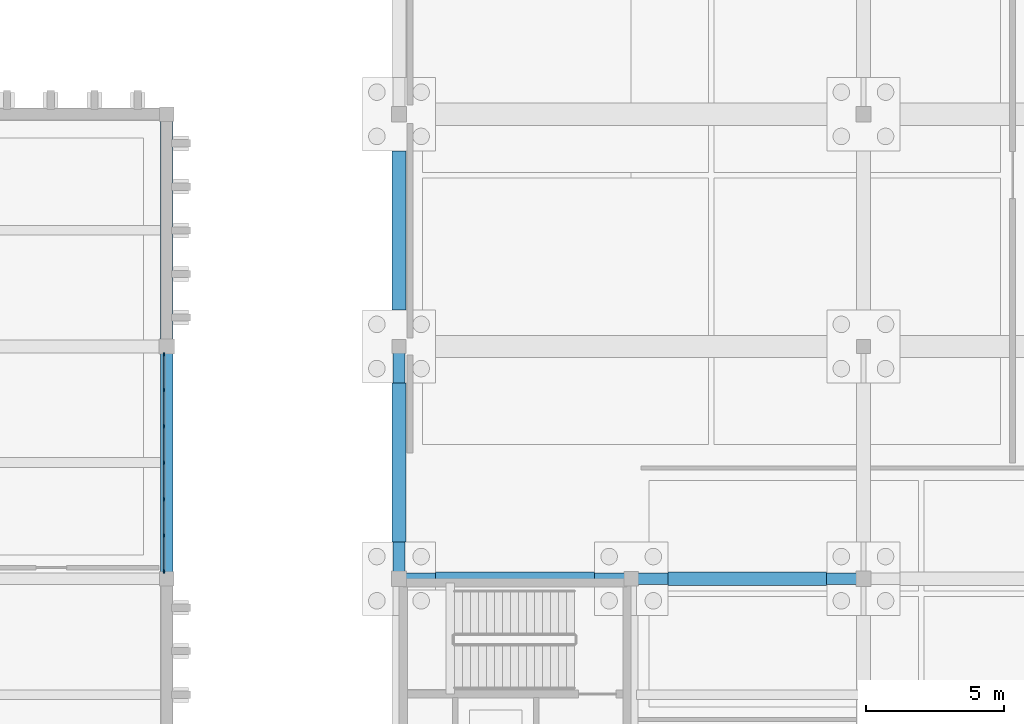
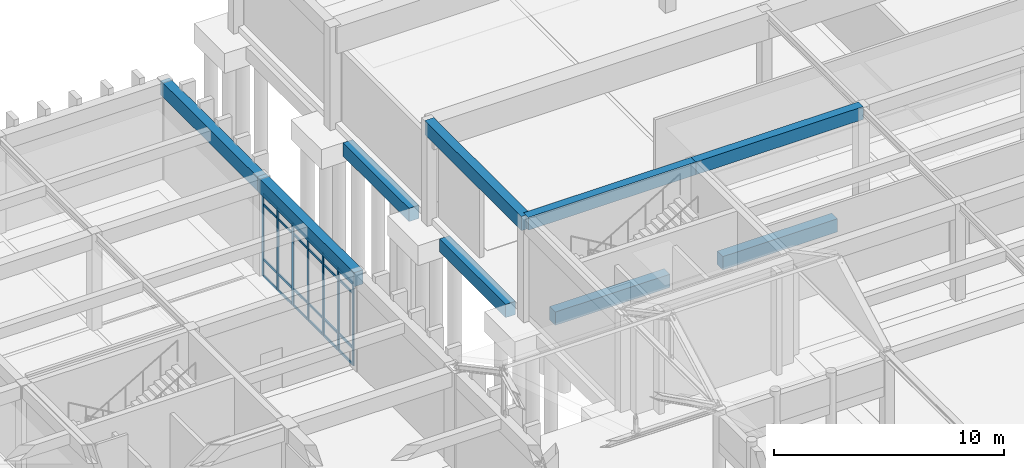
# One storey, part 55 of 143: 31 members, 9 beams, 1 element without a shape of its own.
"""IFC4 building model written with IfcOpenShell, lengths in metres."""

from ifc_helpers import new_model, si_unit, direction, frame, origin, origin_2d, place, context, subcontext, project, spatial, rectangle, extrude, material, layer, layer_set, material_profile, profile_set, type_object, element, aggregate, save


model = new_model("IFC4")

# Units and contexts
model_context = context("Model", 3, precision=1e-05, world=origin(), true_north=direction((0.0, 1.0)))
body_context = subcontext(model_context, "Body", "Model", "MODEL_VIEW")
ifc_project = project(units=[si_unit("LENGTHUNIT", "METRE"), si_unit("AREAUNIT", "SQUARE_METRE"), si_unit("VOLUMEUNIT", "CUBIC_METRE"), si_unit("PLANEANGLEUNIT", "RADIAN"), si_unit("MASSUNIT", "GRAM", prefix="KILO")], contexts=[model_context])

# Site, building, storey
site_placement = place(None, origin())
site = spatial("IfcSite", under=ifc_project, at=site_placement, CompositionType="ELEMENT")
building_placement = place(site_placement, origin())
building = spatial("IfcBuilding", under=site, at=building_placement, Name="Kveldsbrygga Polytechnic", CompositionType="ELEMENT")
storey_placement = place(building_placement, origin())
storey = spatial("IfcBuildingStorey", under=building, at=storey_placement, Name="L00", CompositionType="ELEMENT", Elevation=0.0)

# Beams
ifc_material_1 = material(Name="Concrete C35/45", Category="concrete")
ifc_material_profile_1 = material_profile(ifc_material_1, rectangle(XDim=0.419921875, YDim=0.679931640625, at=origin_2d()), Name="RC 420x680")
ifc_profile_set_1 = profile_set([ifc_material_profile_1], Name="Concrete C35/45")
beam_type_1 = type_object("IfcBeamType", Name="BM-RC-420x680", PredefinedType="BEAM", material=ifc_profile_set_1)
beam_1_placement = place(storey_placement, frame((42.0, 92.39990234375, 4.800048828125), z_axis=(1.0, 0.0, 0.0), x_axis=(0.0, 1.0, 0.0)))
element("IfcBeam", 1, at=beam_1_placement, inside=storey, type_object=beam_type_1, Name="Primary Beam BMX-L00-05to06-11", PredefinedType="BEAM", context=body_context, shape_type="SweptSolid", body=[
    extrude(rectangle(XDim=0.419921875, YDim=0.679931640625, at=origin_2d()), origin(), (0.0, 0.0, 1.0), 8.39990234375),
])
beam_2_placement = place(storey_placement, frame((50.39990234375, 92.39990234375, 4.800048828125), z_axis=(1.0, 0.0, 0.0), x_axis=(0.0, 1.0, 0.0)))
element("IfcBeam", 2, at=beam_2_placement, inside=storey, type_object=beam_type_1, Name="Primary Beam BMX-L00-06to07-11", PredefinedType="BEAM", context=body_context, shape_type="SweptSolid", body=[
    extrude(rectangle(XDim=0.419921875, YDim=0.679931640625, at=origin_2d()), origin(), (0.0, 0.0, 1.0), 8.400146484375),
])
ifc_material_profile_2 = material_profile(ifc_material_1, rectangle(XDim=0.449951171875, YDim=0.75, at=origin_2d()), Name="RC 450x750")
ifc_profile_set_2 = profile_set([ifc_material_profile_2], Name="Concrete C35/45")
beam_type_2 = type_object("IfcBeamType", Name="BM-RC-450x750", PredefinedType="BEAM", material=ifc_profile_set_2)
beam_3_placement = place(storey_placement, frame((33.60009765625, 92.39990234375, 4.72509765625), z_axis=(0.0, 1.0, 0.0), x_axis=(-1.0, 0.0, 0.0)))
element("IfcBeam", 3, at=beam_3_placement, inside=storey, type_object=beam_type_2, Name="Primary Beam BMY-L00-04-11to12", PredefinedType="BEAM", context=body_context, shape_type="SweptSolid", body=[
    extrude(rectangle(XDim=0.449951171875, YDim=0.75, at=origin_2d()), origin(), (0.0, 0.0, 1.0), 8.400146484375),
])
beam_4_placement = place(storey_placement, frame((33.60009765625, 100.800048828125, 4.72509765625), z_axis=(0.0, 1.0, 0.0), x_axis=(-1.0, 0.0, 0.0)))
element("IfcBeam", 4, at=beam_4_placement, inside=storey, type_object=beam_type_2, Name="Primary Beam BMY-L00-04-12to13", PredefinedType="BEAM", context=body_context, shape_type="SweptSolid", body=[
    extrude(rectangle(XDim=0.449951171875, YDim=0.75, at=origin_2d()), origin(), (0.0, 0.0, 1.0), 8.39990234375),
])
beam_5_placement = place(storey_placement, frame((42.0, 92.39990234375, 4.764892578125), z_axis=(0.0, 1.0, 0.0), x_axis=(-1.0, 0.0, 0.0)))
element("IfcBeam", 5, at=beam_5_placement, inside=storey, type_object=beam_type_2, Name="Primary Beam BMY-L00-05-11to12", PredefinedType="BEAM", context=body_context, shape_type="SweptSolid", body=[
    extrude(rectangle(XDim=0.449951171875, YDim=0.75, at=origin_2d()), origin(), (0.0, 0.0, 1.0), 8.400146484375),
])
ifc_material_profile_3 = material_profile(ifc_material_1, rectangle(XDim=0.5, YDim=0.699951171875, at=origin_2d()), Name="RC 500x700")
ifc_profile_set_3 = profile_set([ifc_material_profile_3], Name="Concrete C35/45")
beam_type_3 = type_object("IfcBeamType", Name="BM-TIE-500x700", PredefinedType="BEAM", material=ifc_profile_set_3)
beam_6_placement = place(storey_placement, frame((43.326904296875, 92.39990234375, -0.669921875), z_axis=(1.0, 0.0, 0.0), x_axis=(0.0, 1.0, 0.0)))
element("IfcBeam", 6, at=beam_6_placement, inside=storey, type_object=beam_type_3, Name="Ground Tie Beam GB-L00-X-05-11", PredefinedType="BEAM", context=body_context, shape_type="SweptSolid", body=[
    extrude(rectangle(XDim=0.5, YDim=0.699951171875, at=origin_2d()), origin(), (0.0, 0.0, 1.0), 5.74609375),
])
beam_7_placement = place(storey_placement, frame((42.0, 93.72705078125, -0.669921875), z_axis=(0.0, 1.0, 0.0), x_axis=(-1.0, 0.0, 0.0)))
element("IfcBeam", 7, at=beam_7_placement, inside=storey, type_object=beam_type_3, Name="Ground Tie Beam GB-L00-Y-05-11", PredefinedType="BEAM", context=body_context, shape_type="SweptSolid", body=[
    extrude(rectangle(XDim=0.5, YDim=0.699951171875, at=origin_2d()), origin(), (0.0, 0.0, 1.0), 5.745849609375),
])
beam_8_placement = place(storey_placement, frame((42.0, 102.126953125, -0.669921875), z_axis=(0.0, 1.0, 0.0), x_axis=(-1.0, 0.0, 0.0)))
element("IfcBeam", 8, at=beam_8_placement, inside=storey, type_object=beam_type_3, Name="Ground Tie Beam GB-L00-Y-05-12", PredefinedType="BEAM", context=body_context, shape_type="SweptSolid", body=[
    extrude(rectangle(XDim=0.5, YDim=0.699951171875, at=origin_2d()), origin(), (0.0, 0.0, 1.0), 5.74609375),
])
beam_9_placement = place(storey_placement, frame((51.72705078125, 92.39990234375, -0.669921875), z_axis=(1.0, 0.0, 0.0), x_axis=(0.0, 1.0, 0.0)))
element("IfcBeam", 9, at=beam_9_placement, inside=storey, type_object=beam_type_3, Name="Ground Tie Beam GB-L00-X-06-11", PredefinedType="BEAM", context=body_context, shape_type="SweptSolid", body=[
    extrude(rectangle(XDim=0.5, YDim=0.699951171875, at=origin_2d()), origin(), (0.0, 0.0, 1.0), 5.745849609375),
])

# Curtain wall, members
ifc_material_2 = material(Name="Anodised aluminium AW-6060", Category="aluminium")
ifc_layer = layer(ifc_material_2, 0.179931640625)
ifc_layer_set = layer_set([ifc_layer], Name="Anodised aluminium AW-6060")
curtain_wall_type = type_object("IfcCurtainWallType", Name="CW-CONC-A", PredefinedType="USERDEFINED", material=ifc_layer_set)
curtain_wall_placement = place(storey_placement, origin())
curtain_wall = element("IfcCurtainWall", 10, at=curtain_wall_placement, inside=storey, type_object=curtain_wall_type, Name="Curtain Wall CW-L00-Y-04-11", ObjectType="UNITISED CURTAIN WALL", PredefinedType="USERDEFINED")
ifc_material_profile_4 = material_profile(ifc_material_2, rectangle(XDim=0.06005859375, YDim=0.139892578125, at=origin_2d()), Name="ALU 60x140")
ifc_profile_set_4 = profile_set([ifc_material_profile_4], Name="Anodised aluminium AW-6060")
member_type_1 = type_object("IfcMemberType", Name="CW-MUL-140", PredefinedType="MULLION", material=ifc_profile_set_4)
member_1_placement = place(storey_placement, frame((33.5, 92.675048828125, 0.0), z_axis=(0.0, 0.0, 1.0), x_axis=(-1.0, 0.0, 0.0)))
member_1 = element("IfcMember", 11, at=member_1_placement, type_object=member_type_1, Name="CW-01 mullion 1", PredefinedType="MULLION", context=body_context, shape_type="SweptSolid", body=[
    extrude(rectangle(XDim=0.06005859375, YDim=0.139892578125, at=origin_2d()), origin(), (0.0, 0.0, 1.0), 4.35009765625),
])
member_2_placement = place(storey_placement, frame((33.5, 93.9609375, 0.0), z_axis=(0.0, 0.0, 1.0), x_axis=(-1.0, 0.0, 0.0)))
member_2 = element("IfcMember", 12, at=member_2_placement, type_object=member_type_1, Name="CW-01 mullion 2", PredefinedType="MULLION", context=body_context, shape_type="SweptSolid", body=[
    extrude(rectangle(XDim=0.06005859375, YDim=0.139892578125, at=origin_2d()), origin(), (0.0, 0.0, 1.0), 4.35009765625),
])
member_3_placement = place(storey_placement, frame((33.5, 95.276611328125, 0.0), z_axis=(0.0, 0.0, 1.0), x_axis=(-1.0, 0.0, 0.0)))
member_3 = element("IfcMember", 13, at=member_3_placement, type_object=member_type_1, Name="CW-01 mullion 3", PredefinedType="MULLION", context=body_context, shape_type="SweptSolid", body=[
    extrude(rectangle(XDim=0.06005859375, YDim=0.139892578125, at=origin_2d()), origin(), (0.0, 0.0, 1.0), 4.35009765625),
])
member_4_placement = place(storey_placement, frame((33.5, 96.592529296875, 0.0), z_axis=(0.0, 0.0, 1.0), x_axis=(-1.0, 0.0, 0.0)))
member_4 = element("IfcMember", 14, at=member_4_placement, type_object=member_type_1, Name="CW-01 mullion 4", PredefinedType="MULLION", context=body_context, shape_type="SweptSolid", body=[
    extrude(rectangle(XDim=0.06005859375, YDim=0.139892578125, at=origin_2d()), origin(), (0.0, 0.0, 1.0), 4.35009765625),
])
member_5_placement = place(storey_placement, frame((33.5, 97.908447265625, 0.0), z_axis=(0.0, 0.0, 1.0), x_axis=(-1.0, 0.0, 0.0)))
member_5 = element("IfcMember", 15, at=member_5_placement, type_object=member_type_1, Name="CW-01 mullion 5", PredefinedType="MULLION", context=body_context, shape_type="SweptSolid", body=[
    extrude(rectangle(XDim=0.06005859375, YDim=0.139892578125, at=origin_2d()), origin(), (0.0, 0.0, 1.0), 4.35009765625),
])
member_6_placement = place(storey_placement, frame((33.5, 99.22412109375, 0.0), z_axis=(0.0, 0.0, 1.0), x_axis=(-1.0, 0.0, 0.0)))
member_6 = element("IfcMember", 16, at=member_6_placement, type_object=member_type_1, Name="CW-01 mullion 6", PredefinedType="MULLION", context=body_context, shape_type="SweptSolid", body=[
    extrude(rectangle(XDim=0.06005859375, YDim=0.139892578125, at=origin_2d()), origin(), (0.0, 0.0, 1.0), 4.35009765625),
])
member_7_placement = place(storey_placement, frame((33.5, 100.510009765625, 0.0), z_axis=(0.0, 0.0, 1.0), x_axis=(-1.0, 0.0, 0.0)))
member_7 = element("IfcMember", 17, at=member_7_placement, type_object=member_type_1, Name="CW-01 mullion 7", PredefinedType="MULLION", context=body_context, shape_type="SweptSolid", body=[
    extrude(rectangle(XDim=0.06005859375, YDim=0.139892578125, at=origin_2d()), origin(), (0.0, 0.0, 1.0), 4.35009765625),
])
ifc_material_profile_5 = material_profile(ifc_material_2, rectangle(XDim=0.06005859375, YDim=0.1201171875, at=origin_2d()), Name="ALU 60x120")
ifc_profile_set_5 = profile_set([ifc_material_profile_5], Name="Anodised aluminium AW-6060")
member_type_2 = type_object("IfcMemberType", Name="CW-TRN-120", PredefinedType="USERDEFINED", material=ifc_profile_set_5)
member_8_placement = place(storey_placement, frame((33.5, 92.705078125, 0.030029296875), z_axis=(0.0, 1.0, 0.0), x_axis=(-1.0, 0.0, 0.0)))
member_8 = element("IfcMember", 18, at=member_8_placement, type_object=member_type_2, Name="CW-01 transom 1.1", ObjectType="TRANSOM", PredefinedType="USERDEFINED", context=body_context, shape_type="SweptSolid", body=[
    extrude(rectangle(XDim=0.06005859375, YDim=0.1201171875, at=origin_2d()), origin(), (0.0, 0.0, 1.0), 1.225830078125),
])
member_9_placement = place(storey_placement, frame((33.5, 92.705078125, 0.89990234375), z_axis=(0.0, 1.0, 0.0), x_axis=(-1.0, 0.0, 0.0)))
member_9 = element("IfcMember", 19, at=member_9_placement, type_object=member_type_2, Name="CW-01 transom 1.2", ObjectType="TRANSOM", PredefinedType="USERDEFINED", context=body_context, shape_type="SweptSolid", body=[
    extrude(rectangle(XDim=0.06005859375, YDim=0.1201171875, at=origin_2d()), origin(), (0.0, 0.0, 1.0), 1.225830078125),
])
member_10_placement = place(storey_placement, frame((33.5, 92.705078125, 3.800048828125), z_axis=(0.0, 1.0, 0.0), x_axis=(-1.0, 0.0, 0.0)))
member_10 = element("IfcMember", 20, at=member_10_placement, type_object=member_type_2, Name="CW-01 transom 1.3", ObjectType="TRANSOM", PredefinedType="USERDEFINED", context=body_context, shape_type="SweptSolid", body=[
    extrude(rectangle(XDim=0.06005859375, YDim=0.1201171875, at=origin_2d()), origin(), (0.0, 0.0, 1.0), 1.225830078125),
])
member_11_placement = place(storey_placement, frame((33.5, 92.705078125, 4.320068359375), z_axis=(0.0, 1.0, 0.0), x_axis=(-1.0, 0.0, 0.0)))
member_11 = element("IfcMember", 21, at=member_11_placement, type_object=member_type_2, Name="CW-01 transom 1.4", ObjectType="TRANSOM", PredefinedType="USERDEFINED", context=body_context, shape_type="SweptSolid", body=[
    extrude(rectangle(XDim=0.06005859375, YDim=0.1201171875, at=origin_2d()), origin(), (0.0, 0.0, 1.0), 1.225830078125),
])
member_12_placement = place(storey_placement, frame((33.5, 93.99072265625, 0.030029296875), z_axis=(0.0, 1.0, 0.0), x_axis=(-1.0, 0.0, 0.0)))
member_12 = element("IfcMember", 22, at=member_12_placement, type_object=member_type_2, Name="CW-01 transom 2.1", ObjectType="TRANSOM", PredefinedType="USERDEFINED", context=body_context, shape_type="SweptSolid", body=[
    extrude(rectangle(XDim=0.06005859375, YDim=0.1201171875, at=origin_2d()), origin(), (0.0, 0.0, 1.0), 1.255859375),
])
member_13_placement = place(storey_placement, frame((33.5, 93.99072265625, 0.89990234375), z_axis=(0.0, 1.0, 0.0), x_axis=(-1.0, 0.0, 0.0)))
member_13 = element("IfcMember", 23, at=member_13_placement, type_object=member_type_2, Name="CW-01 transom 2.2", ObjectType="TRANSOM", PredefinedType="USERDEFINED", context=body_context, shape_type="SweptSolid", body=[
    extrude(rectangle(XDim=0.06005859375, YDim=0.1201171875, at=origin_2d()), origin(), (0.0, 0.0, 1.0), 1.255859375),
])
member_14_placement = place(storey_placement, frame((33.5, 93.99072265625, 3.800048828125), z_axis=(0.0, 1.0, 0.0), x_axis=(-1.0, 0.0, 0.0)))
member_14 = element("IfcMember", 24, at=member_14_placement, type_object=member_type_2, Name="CW-01 transom 2.3", ObjectType="TRANSOM", PredefinedType="USERDEFINED", context=body_context, shape_type="SweptSolid", body=[
    extrude(rectangle(XDim=0.06005859375, YDim=0.1201171875, at=origin_2d()), origin(), (0.0, 0.0, 1.0), 1.255859375),
])
member_15_placement = place(storey_placement, frame((33.5, 93.99072265625, 4.320068359375), z_axis=(0.0, 1.0, 0.0), x_axis=(-1.0, 0.0, 0.0)))
member_15 = element("IfcMember", 25, at=member_15_placement, type_object=member_type_2, Name="CW-01 transom 2.4", ObjectType="TRANSOM", PredefinedType="USERDEFINED", context=body_context, shape_type="SweptSolid", body=[
    extrude(rectangle(XDim=0.06005859375, YDim=0.1201171875, at=origin_2d()), origin(), (0.0, 0.0, 1.0), 1.255859375),
])
member_16_placement = place(storey_placement, frame((33.5, 95.306640625, 0.030029296875), z_axis=(0.0, 1.0, 0.0), x_axis=(-1.0, 0.0, 0.0)))
member_16 = element("IfcMember", 26, at=member_16_placement, type_object=member_type_2, Name="CW-01 transom 3.1", ObjectType="TRANSOM", PredefinedType="USERDEFINED", context=body_context, shape_type="SweptSolid", body=[
    extrude(rectangle(XDim=0.06005859375, YDim=0.1201171875, at=origin_2d()), origin(), (0.0, 0.0, 1.0), 1.255859375),
])
member_17_placement = place(storey_placement, frame((33.5, 95.306640625, 0.89990234375), z_axis=(0.0, 1.0, 0.0), x_axis=(-1.0, 0.0, 0.0)))
member_17 = element("IfcMember", 27, at=member_17_placement, type_object=member_type_2, Name="CW-01 transom 3.2", ObjectType="TRANSOM", PredefinedType="USERDEFINED", context=body_context, shape_type="SweptSolid", body=[
    extrude(rectangle(XDim=0.06005859375, YDim=0.1201171875, at=origin_2d()), origin(), (0.0, 0.0, 1.0), 1.255859375),
])
member_18_placement = place(storey_placement, frame((33.5, 95.306640625, 3.800048828125), z_axis=(0.0, 1.0, 0.0), x_axis=(-1.0, 0.0, 0.0)))
member_18 = element("IfcMember", 28, at=member_18_placement, type_object=member_type_2, Name="CW-01 transom 3.3", ObjectType="TRANSOM", PredefinedType="USERDEFINED", context=body_context, shape_type="SweptSolid", body=[
    extrude(rectangle(XDim=0.06005859375, YDim=0.1201171875, at=origin_2d()), origin(), (0.0, 0.0, 1.0), 1.255859375),
])
member_19_placement = place(storey_placement, frame((33.5, 95.306640625, 4.320068359375), z_axis=(0.0, 1.0, 0.0), x_axis=(-1.0, 0.0, 0.0)))
member_19 = element("IfcMember", 29, at=member_19_placement, type_object=member_type_2, Name="CW-01 transom 3.4", ObjectType="TRANSOM", PredefinedType="USERDEFINED", context=body_context, shape_type="SweptSolid", body=[
    extrude(rectangle(XDim=0.06005859375, YDim=0.1201171875, at=origin_2d()), origin(), (0.0, 0.0, 1.0), 1.255859375),
])
member_20_placement = place(storey_placement, frame((33.5, 96.62255859375, 0.030029296875), z_axis=(0.0, 1.0, 0.0), x_axis=(-1.0, 0.0, 0.0)))
member_20 = element("IfcMember", 30, at=member_20_placement, type_object=member_type_2, Name="CW-01 transom 4.1", ObjectType="TRANSOM", PredefinedType="USERDEFINED", context=body_context, shape_type="SweptSolid", body=[
    extrude(rectangle(XDim=0.06005859375, YDim=0.1201171875, at=origin_2d()), origin(), (0.0, 0.0, 1.0), 1.255859375),
])
member_21_placement = place(storey_placement, frame((33.5, 96.62255859375, 0.89990234375), z_axis=(0.0, 1.0, 0.0), x_axis=(-1.0, 0.0, 0.0)))
member_21 = element("IfcMember", 31, at=member_21_placement, type_object=member_type_2, Name="CW-01 transom 4.2", ObjectType="TRANSOM", PredefinedType="USERDEFINED", context=body_context, shape_type="SweptSolid", body=[
    extrude(rectangle(XDim=0.06005859375, YDim=0.1201171875, at=origin_2d()), origin(), (0.0, 0.0, 1.0), 1.255859375),
])
member_22_placement = place(storey_placement, frame((33.5, 96.62255859375, 3.800048828125), z_axis=(0.0, 1.0, 0.0), x_axis=(-1.0, 0.0, 0.0)))
member_22 = element("IfcMember", 32, at=member_22_placement, type_object=member_type_2, Name="CW-01 transom 4.3", ObjectType="TRANSOM", PredefinedType="USERDEFINED", context=body_context, shape_type="SweptSolid", body=[
    extrude(rectangle(XDim=0.06005859375, YDim=0.1201171875, at=origin_2d()), origin(), (0.0, 0.0, 1.0), 1.255859375),
])
member_23_placement = place(storey_placement, frame((33.5, 96.62255859375, 4.320068359375), z_axis=(0.0, 1.0, 0.0), x_axis=(-1.0, 0.0, 0.0)))
member_23 = element("IfcMember", 33, at=member_23_placement, type_object=member_type_2, Name="CW-01 transom 4.4", ObjectType="TRANSOM", PredefinedType="USERDEFINED", context=body_context, shape_type="SweptSolid", body=[
    extrude(rectangle(XDim=0.06005859375, YDim=0.1201171875, at=origin_2d()), origin(), (0.0, 0.0, 1.0), 1.255859375),
])
member_24_placement = place(storey_placement, frame((33.5, 97.938232421875, 0.030029296875), z_axis=(0.0, 1.0, 0.0), x_axis=(-1.0, 0.0, 0.0)))
member_24 = element("IfcMember", 34, at=member_24_placement, type_object=member_type_2, Name="CW-01 transom 5.1", ObjectType="TRANSOM", PredefinedType="USERDEFINED", context=body_context, shape_type="SweptSolid", body=[
    extrude(rectangle(XDim=0.06005859375, YDim=0.1201171875, at=origin_2d()), origin(), (0.0, 0.0, 1.0), 1.255859375),
])
member_25_placement = place(storey_placement, frame((33.5, 97.938232421875, 0.89990234375), z_axis=(0.0, 1.0, 0.0), x_axis=(-1.0, 0.0, 0.0)))
member_25 = element("IfcMember", 35, at=member_25_placement, type_object=member_type_2, Name="CW-01 transom 5.2", ObjectType="TRANSOM", PredefinedType="USERDEFINED", context=body_context, shape_type="SweptSolid", body=[
    extrude(rectangle(XDim=0.06005859375, YDim=0.1201171875, at=origin_2d()), origin(), (0.0, 0.0, 1.0), 1.255859375),
])
member_26_placement = place(storey_placement, frame((33.5, 97.938232421875, 3.800048828125), z_axis=(0.0, 1.0, 0.0), x_axis=(-1.0, 0.0, 0.0)))
member_26 = element("IfcMember", 36, at=member_26_placement, type_object=member_type_2, Name="CW-01 transom 5.3", ObjectType="TRANSOM", PredefinedType="USERDEFINED", context=body_context, shape_type="SweptSolid", body=[
    extrude(rectangle(XDim=0.06005859375, YDim=0.1201171875, at=origin_2d()), origin(), (0.0, 0.0, 1.0), 1.255859375),
])
member_27_placement = place(storey_placement, frame((33.5, 97.938232421875, 4.320068359375), z_axis=(0.0, 1.0, 0.0), x_axis=(-1.0, 0.0, 0.0)))
member_27 = element("IfcMember", 37, at=member_27_placement, type_object=member_type_2, Name="CW-01 transom 5.4", ObjectType="TRANSOM", PredefinedType="USERDEFINED", context=body_context, shape_type="SweptSolid", body=[
    extrude(rectangle(XDim=0.06005859375, YDim=0.1201171875, at=origin_2d()), origin(), (0.0, 0.0, 1.0), 1.255859375),
])
member_28_placement = place(storey_placement, frame((33.5, 99.254150390625, 0.030029296875), z_axis=(0.0, 1.0, 0.0), x_axis=(-1.0, 0.0, 0.0)))
member_28 = element("IfcMember", 38, at=member_28_placement, type_object=member_type_2, Name="CW-01 transom 6.1", ObjectType="TRANSOM", PredefinedType="USERDEFINED", context=body_context, shape_type="SweptSolid", body=[
    extrude(rectangle(XDim=0.06005859375, YDim=0.1201171875, at=origin_2d()), origin(), (0.0, 0.0, 1.0), 1.225830078125),
])
member_29_placement = place(storey_placement, frame((33.5, 99.254150390625, 0.89990234375), z_axis=(0.0, 1.0, 0.0), x_axis=(-1.0, 0.0, 0.0)))
member_29 = element("IfcMember", 39, at=member_29_placement, type_object=member_type_2, Name="CW-01 transom 6.2", ObjectType="TRANSOM", PredefinedType="USERDEFINED", context=body_context, shape_type="SweptSolid", body=[
    extrude(rectangle(XDim=0.06005859375, YDim=0.1201171875, at=origin_2d()), origin(), (0.0, 0.0, 1.0), 1.225830078125),
])
member_30_placement = place(storey_placement, frame((33.5, 99.254150390625, 3.800048828125), z_axis=(0.0, 1.0, 0.0), x_axis=(-1.0, 0.0, 0.0)))
member_30 = element("IfcMember", 40, at=member_30_placement, type_object=member_type_2, Name="CW-01 transom 6.3", ObjectType="TRANSOM", PredefinedType="USERDEFINED", context=body_context, shape_type="SweptSolid", body=[
    extrude(rectangle(XDim=0.06005859375, YDim=0.1201171875, at=origin_2d()), origin(), (0.0, 0.0, 1.0), 1.225830078125),
])
member_31_placement = place(storey_placement, frame((33.5, 99.254150390625, 4.320068359375), z_axis=(0.0, 1.0, 0.0), x_axis=(-1.0, 0.0, 0.0)))
member_31 = element("IfcMember", 41, at=member_31_placement, type_object=member_type_2, Name="CW-01 transom 6.4", ObjectType="TRANSOM", PredefinedType="USERDEFINED", context=body_context, shape_type="SweptSolid", body=[
    extrude(rectangle(XDim=0.06005859375, YDim=0.1201171875, at=origin_2d()), origin(), (0.0, 0.0, 1.0), 1.225830078125),
])
aggregate(curtain_wall, [member_1, member_2, member_3, member_4, member_5, member_6, member_7, member_8, member_9, member_10, member_11, member_12, member_13, member_14, member_15, member_16, member_17, member_18, member_19, member_20, member_21, member_22, member_23, member_24, member_25, member_26, member_27, member_28, member_29, member_30, member_31])

save(model, "model.ifc")
